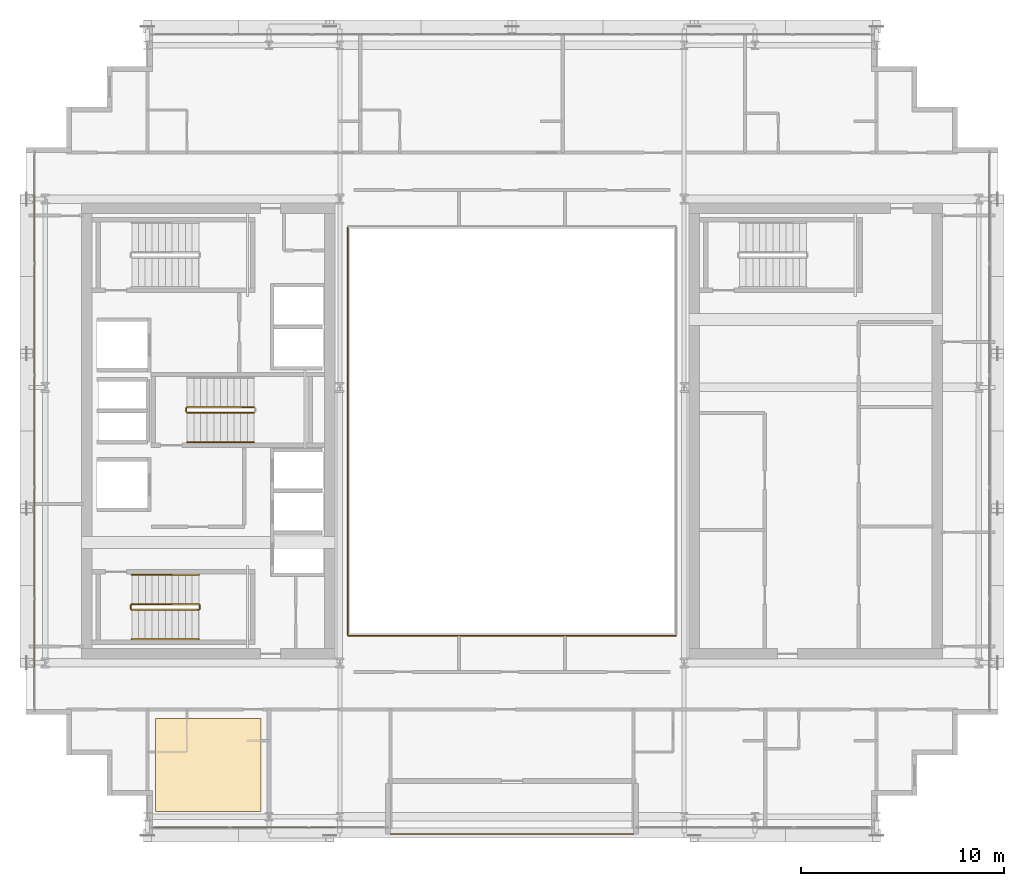
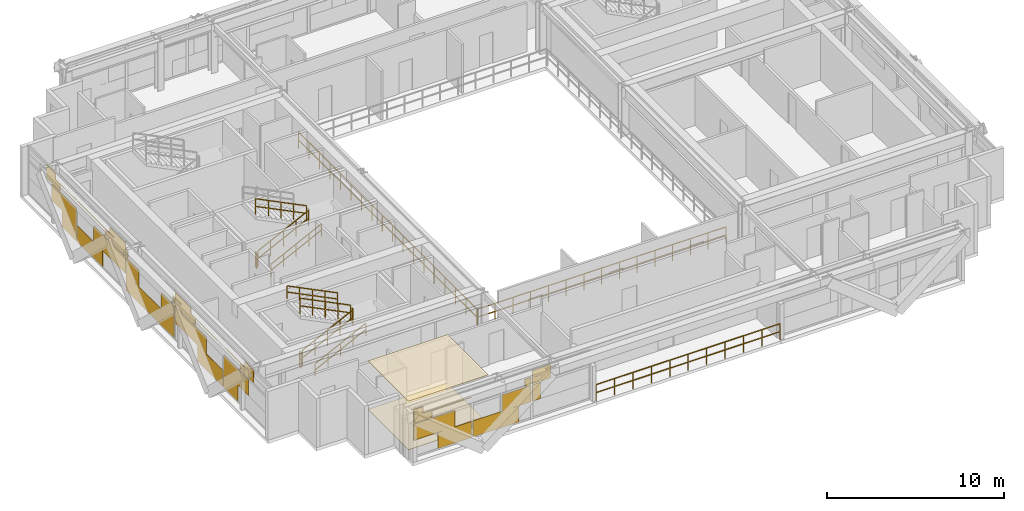
# One storey, part 29 of 32: 13 railings, 4 coverings.
"""IFC4 building model written with IfcOpenShell, lengths in metres."""

from ifc_helpers import new_model, si_unit, direction, frame, origin, origin_2d, place, context, subcontext, project, spatial, polyline, rectangle, outline, extrude, material, layer, layer_set, type_object, element, save


model = new_model("IFC4")

# Units and contexts
model_context = context("Model", 3, precision=1e-05, world=origin(), true_north=direction((0.0, 1.0)))
body_context = subcontext(model_context, "Body", "Model", "MODEL_VIEW")
ifc_project = project(units=[si_unit("LENGTHUNIT", "METRE"), si_unit("AREAUNIT", "SQUARE_METRE"), si_unit("VOLUMEUNIT", "CUBIC_METRE"), si_unit("PLANEANGLEUNIT", "RADIAN"), si_unit("MASSUNIT", "GRAM", prefix="KILO")], contexts=[model_context])

# Site, building, storey
site_placement = place(None, origin())
site = spatial("IfcSite", under=ifc_project, at=site_placement, CompositionType="ELEMENT")
building_placement = place(site_placement, origin())
building = spatial("IfcBuilding", under=site, at=building_placement, Name="Ocotamira Hotel", CompositionType="ELEMENT")
storey_placement = place(building_placement, frame((0.0, 0.0, 213.60009765625)))
storey = spatial("IfcBuildingStorey", under=building, at=storey_placement, Name="L54", CompositionType="ELEMENT", Elevation=213.60009765625)

# Coverings
ifc_material_1 = material(Name="Perforated acoustic gypsum ceiling board", Category="gypsum")
ifc_layer_1 = layer(ifc_material_1, 0.02490234375)
ifc_layer_set_1 = layer_set([ifc_layer_1], Name="Perforated acoustic gypsum ceiling board")
covering_type_1 = type_object("IfcCoveringType", Name="COV-CEIL-25", PredefinedType="CEILING", material=ifc_layer_set_1)
covering_1_placement = place(storey_placement, frame((0.0, 0.0, 3.344970703125)))
element("IfcCovering", 1, at=covering_1_placement, inside=storey, type_object=covering_type_1, Name="L54 Acoustic Ceiling", PredefinedType="CEILING", context=body_context, shape_type="SweptSolid", body=[
    extrude(outline(polyline([(14.39990234375, 7.199951171875), (19.60009765625, 7.199951171875), (19.60009765625, 11.800048828125), (14.39990234375, 11.800048828125), (14.39990234375, 7.199951171875)])), origin(), (0.0, 0.0, 1.0), 0.02490234375),
])
ifc_material_2 = material(Name="Honed desert travertine stone flooring", Category="masonry")
ifc_layer_2 = layer(ifc_material_2, 0.030029296875)
ifc_layer_set_2 = layer_set([ifc_layer_2], Name="Honed desert travertine stone flooring")
covering_type_2 = type_object("IfcCoveringType", Name="COV-FLOR-30", PredefinedType="FLOORING", material=ifc_layer_set_2)
covering_2_placement = place(storey_placement, origin())
element("IfcCovering", 2, at=covering_2_placement, inside=storey, type_object=covering_type_2, Name="L54 Honed Stone Floor Finish", PredefinedType="FLOORING", context=body_context, shape_type="SweptSolid", body=[
    extrude(outline(polyline([(14.39990234375, 7.199951171875), (19.60009765625, 7.199951171875), (19.60009765625, 11.800048828125), (14.39990234375, 11.800048828125), (14.39990234375, 7.199951171875)])), origin(), (0.0, 0.0, 1.0), 0.02978515625),
])
ifc_material_3 = material(Name="Insulated pale-metal aluminium spandrel panel", Category="aluminium")
ifc_layer_3 = layer(ifc_material_3, 0.044921875)
ifc_layer_set_3 = layer_set([ifc_layer_3], Name="Insulated pale-metal aluminium spandrel panel")
covering_type_3 = type_object("IfcCoveringType", Name="COV-INFILL-45", PredefinedType="CLADDING", material=ifc_layer_set_3)
covering_3_placement = place(storey_placement, origin())
element("IfcCovering", 3, at=covering_3_placement, inside=storey, type_object=covering_type_3, Name="L54 Curtain Wall Infill CW-4 CW-L54-S1", PredefinedType="CLADDING", context=body_context, shape_type="SweptSolid", body=[
    extrude(rectangle(XDim=2.68701171875, YDim=0.044921875, at=origin_2d()), frame((15.6240234375, 6.419921875, 1.19384765625), z_axis=(0.0, 0.0, 1.0), x_axis=(1.0, 0.0, 0.0)), (0.0, 0.0, 1.0), 1.117919921875),
    extrude(rectangle(XDim=2.19482421875, YDim=0.044921875, at=origin_2d()), frame((16.9453125, 6.419921875, 0.075439453125), z_axis=(0.0, 0.0, 1.0), x_axis=(1.0, 0.0, 0.0)), (0.0, 0.0, 1.0), 1.11767578125),
    extrude(rectangle(XDim=1.19482421875, YDim=0.044921875, at=origin_2d()), frame((14.8779296875, 6.419921875, 2.3876953125), z_axis=(0.0, 0.0, 1.0), x_axis=(1.0, 0.0, 0.0)), (0.0, 0.0, 1.0), 0.440185546875),
    extrude(rectangle(XDim=3.76220703125, YDim=0.044921875, at=origin_2d()), frame((16.16162109375, 6.419921875, 2.8291015625), z_axis=(0.0, 0.0, 1.0), x_axis=(1.0, 0.0, 0.0)), (0.0, 0.0, 1.0), 0.03271484375),
    extrude(rectangle(XDim=0.601318359375, YDim=0.044921875, at=origin_2d()), frame((14.581298828125, 6.419921875, 2.86279296875), z_axis=(0.0, 0.0, 1.0), x_axis=(1.0, 0.0, 0.0)), (0.0, 0.0, 1.0), 0.431640625),
    extrude(rectangle(XDim=3.028076171875, YDim=0.044921875, at=origin_2d()), frame((19.637939453125, 6.419921875, 0.075439453125), z_axis=(0.0, 0.0, 1.0), x_axis=(1.0, 0.0, 0.0)), (0.0, 0.0, 1.0), 1.11767578125),
    extrude(rectangle(XDim=1.893798828125, YDim=0.044921875, at=origin_2d()), frame((20.979248046875, 6.419921875, 1.19384765625), z_axis=(0.0, 0.0, 1.0), x_axis=(1.0, 0.0, 0.0)), (0.0, 0.0, 1.0), 1.117919921875),
    extrude(rectangle(XDim=0.401611328125, YDim=0.044921875, at=origin_2d()), frame((21.725341796875, 6.419921875, 2.3876953125), z_axis=(0.0, 0.0, 1.0), x_axis=(1.0, 0.0, 0.0)), (0.0, 0.0, 1.0), 0.473876953125),
    extrude(rectangle(XDim=0.543212890625, YDim=0.044921875, at=origin_2d()), frame((22.27880859375, 6.419921875, 1.19384765625), z_axis=(0.0, 0.0, 1.0), x_axis=(1.0, 0.0, 0.0)), (0.0, 0.0, 1.0), 1.117919921875),
    extrude(rectangle(XDim=1.1884765625, YDim=0.044921875, at=origin_2d()), frame((22.601318359375, 6.419921875, 2.3876953125), z_axis=(0.0, 0.0, 1.0), x_axis=(1.0, 0.0, 0.0)), (0.0, 0.0, 1.0), 0.440185546875),
    extrude(rectangle(XDim=1.23046875, YDim=0.044921875, at=origin_2d()), frame((22.622314453125, 6.419921875, 2.8291015625), z_axis=(0.0, 0.0, 1.0), x_axis=(1.0, 0.0, 0.0)), (0.0, 0.0, 1.0), 0.46533203125),
])
covering_4_placement = place(storey_placement, origin())
element("IfcCovering", 4, at=covering_4_placement, inside=storey, type_object=covering_type_3, Name="L54 Curtain Wall Infill CW-4 CW-L54-W", PredefinedType="CLADDING", context=body_context, shape_type="SweptSolid", body=[
    extrude(rectangle(XDim=2.782958984375, YDim=0.044921875, at=origin_2d()), frame((8.419921875, 16.2880859375, 1.19384765625), z_axis=(0.0, 0.0, 1.0), x_axis=(0.0, 1.0, 0.0)), (0.0, 0.0, 1.0), 1.117919921875),
    extrude(rectangle(XDim=1.596923828125, YDim=0.044921875, at=origin_2d()), frame((8.419921875, 16.881103515625, 0.075439453125), z_axis=(0.0, 0.0, 1.0), x_axis=(0.0, 1.0, 0.0)), (0.0, 0.0, 1.0), 1.11767578125),
    extrude(rectangle(XDim=3.38720703125, YDim=0.044921875, at=origin_2d()), frame((8.419921875, 15.98583984375, 2.845947265625), z_axis=(0.0, 0.0, 1.0), x_axis=(0.0, 1.0, 0.0)), (0.0, 0.0, 1.0), 0.0361328125),
    extrude(rectangle(XDim=1.019287109375, YDim=0.044921875, at=origin_2d()), frame((8.419921875, 14.8017578125, 2.8828125), z_axis=(0.0, 0.0, 1.0), x_axis=(0.0, 1.0, 0.0)), (0.0, 0.0, 1.0), 0.41162109375),
    extrude(rectangle(XDim=1.504638671875, YDim=0.044921875, at=origin_2d()), frame((8.419921875, 15.083740234375, 2.387939453125), z_axis=(0.0, 0.0, 1.0), x_axis=(0.0, 1.0, 0.0)), (0.0, 0.0, 1.0), 0.45703125),
    extrude(rectangle(XDim=2.89013671875, YDim=0.044921875, at=origin_2d()), frame((8.419921875, 19.20556640625, 0.075439453125), z_axis=(0.0, 0.0, 1.0), x_axis=(0.0, 1.0, 0.0)), (0.0, 0.0, 1.0), 1.11767578125),
    extrude(rectangle(XDim=3.568115234375, YDim=0.044921875, at=origin_2d()), frame((8.419921875, 21.41552734375, 1.19384765625), z_axis=(0.0, 0.0, 1.0), x_axis=(0.0, 1.0, 0.0)), (0.0, 0.0, 1.0), 1.117919921875),
    extrude(rectangle(XDim=5.43896484375, YDim=0.044921875, at=origin_2d()), frame((8.419921875, 20.47998046875, 2.845947265625), z_axis=(0.0, 0.0, 1.0), x_axis=(0.0, 1.0, 0.0)), (0.0, 0.0, 1.0), 0.0361328125),
    extrude(rectangle(XDim=2.302490234375, YDim=0.044921875, at=origin_2d()), frame((8.419921875, 22.04833984375, 2.387939453125), z_axis=(0.0, 0.0, 1.0), x_axis=(0.0, 1.0, 0.0)), (0.0, 0.0, 1.0), 0.45703125),
    extrude(rectangle(XDim=1.777587890625, YDim=0.044921875, at=origin_2d()), frame((8.419921875, 22.310791015625, 2.8828125), z_axis=(0.0, 0.0, 1.0), x_axis=(0.0, 1.0, 0.0)), (0.0, 0.0, 1.0), 0.41162109375),
    extrude(rectangle(XDim=5.43896484375, YDim=0.044921875, at=origin_2d()), frame((8.419921875, 26.0, 0.075439453125), z_axis=(0.0, 0.0, 1.0), x_axis=(0.0, 1.0, 0.0)), (0.0, 0.0, 1.0), 1.11767578125),
    extrude(rectangle(XDim=1.45458984375, YDim=0.044921875, at=origin_2d()), frame((8.419921875, 24.0078125, 1.19384765625), z_axis=(0.0, 0.0, 1.0), x_axis=(0.0, 1.0, 0.0)), (0.0, 0.0, 1.0), 1.117919921875),
    extrude(rectangle(XDim=1.45458984375, YDim=0.044921875, at=origin_2d()), frame((8.419921875, 27.9921875, 1.19384765625), z_axis=(0.0, 0.0, 1.0), x_axis=(0.0, 1.0, 0.0)), (0.0, 0.0, 1.0), 1.117919921875),
    extrude(rectangle(XDim=0.18896484375, YDim=0.044921875, at=origin_2d()), frame((8.419921875, 23.375, 2.38818359375), z_axis=(0.0, 0.0, 1.0), x_axis=(0.0, 1.0, 0.0)), (0.0, 0.0, 1.0), 0.493896484375),
    extrude(rectangle(XDim=0.18896484375, YDim=0.044921875, at=origin_2d()), frame((8.419921875, 28.625, 2.38818359375), z_axis=(0.0, 0.0, 1.0), x_axis=(0.0, 1.0, 0.0)), (0.0, 0.0, 1.0), 0.493896484375),
    extrude(rectangle(XDim=3.568115234375, YDim=0.044921875, at=origin_2d()), frame((8.419921875, 30.58447265625, 1.19384765625), z_axis=(0.0, 0.0, 1.0), x_axis=(0.0, 1.0, 0.0)), (0.0, 0.0, 1.0), 1.117919921875),
    extrude(rectangle(XDim=2.89013671875, YDim=0.044921875, at=origin_2d()), frame((8.419921875, 32.79443359375, 0.075439453125), z_axis=(0.0, 0.0, 1.0), x_axis=(0.0, 1.0, 0.0)), (0.0, 0.0, 1.0), 1.11767578125),
    extrude(rectangle(XDim=2.302490234375, YDim=0.044921875, at=origin_2d()), frame((8.419921875, 29.95166015625, 2.387939453125), z_axis=(0.0, 0.0, 1.0), x_axis=(0.0, 1.0, 0.0)), (0.0, 0.0, 1.0), 0.45703125),
    extrude(rectangle(XDim=5.43896484375, YDim=0.044921875, at=origin_2d()), frame((8.419921875, 31.52001953125, 2.845947265625), z_axis=(0.0, 0.0, 1.0), x_axis=(0.0, 1.0, 0.0)), (0.0, 0.0, 1.0), 0.0361328125),
    extrude(rectangle(XDim=1.777587890625, YDim=0.044921875, at=origin_2d()), frame((8.419921875, 29.689208984375, 2.8828125), z_axis=(0.0, 0.0, 1.0), x_axis=(0.0, 1.0, 0.0)), (0.0, 0.0, 1.0), 0.41162109375),
    extrude(rectangle(XDim=1.596923828125, YDim=0.044921875, at=origin_2d()), frame((8.419921875, 35.118896484375, 0.075439453125), z_axis=(0.0, 0.0, 1.0), x_axis=(0.0, 1.0, 0.0)), (0.0, 0.0, 1.0), 1.11767578125),
    extrude(rectangle(XDim=2.782958984375, YDim=0.044921875, at=origin_2d()), frame((8.419921875, 35.7119140625, 1.19384765625), z_axis=(0.0, 0.0, 1.0), x_axis=(0.0, 1.0, 0.0)), (0.0, 0.0, 1.0), 1.117919921875),
    extrude(rectangle(XDim=3.38720703125, YDim=0.044921875, at=origin_2d()), frame((8.419921875, 36.01416015625, 2.845947265625), z_axis=(0.0, 0.0, 1.0), x_axis=(0.0, 1.0, 0.0)), (0.0, 0.0, 1.0), 0.0361328125),
    extrude(rectangle(XDim=1.504638671875, YDim=0.044921875, at=origin_2d()), frame((8.419921875, 36.916259765625, 2.387939453125), z_axis=(0.0, 0.0, 1.0), x_axis=(0.0, 1.0, 0.0)), (0.0, 0.0, 1.0), 0.45703125),
    extrude(rectangle(XDim=1.019287109375, YDim=0.044921875, at=origin_2d()), frame((8.419921875, 37.1982421875, 2.8828125), z_axis=(0.0, 0.0, 1.0), x_axis=(0.0, 1.0, 0.0)), (0.0, 0.0, 1.0), 0.41162109375),
])

# Railings
ifc_material_4 = material(Name="Laminated glass and pale-metal balustrade", Category="glass")
railing_type_1 = type_object("IfcRailingType", Name="RL-BAL-1150", PredefinedType="BALUSTRADE", material=ifc_material_4)
railing_1_placement = place(storey_placement, frame((26.0, 6.10009765625, 0.0)))
element("IfcRailing", 5, at=railing_1_placement, inside=storey, type_object=railing_type_1, Name="L54 Sky Terrace Balustrade 1", PredefinedType="BALUSTRADE", context=body_context, shape_type="SweptSolid", body=[
    extrude(rectangle(XDim=0.048095703125, YDim=0.048095703125, at=origin_2d()), frame((0.0, 0.0, 1.1259765625), z_axis=(1.0, 0.0, 0.0), x_axis=(0.0, 1.0, 0.0)), (0.0, 0.0, 1.0), 12.0),
    extrude(rectangle(XDim=0.048095703125, YDim=0.048095703125, at=origin_2d()), frame((0.0, 0.0, 0.574951171875), z_axis=(1.0, 0.0, 0.0), x_axis=(0.0, 1.0, 0.0)), (0.0, 0.0, 1.0), 12.0),
    extrude(rectangle(XDim=0.0419921875, YDim=0.0419921875, at=origin_2d()), origin(), (0.0, 0.0, 1.0), 1.101806640625),
    extrude(rectangle(XDim=0.0419921875, YDim=0.0419921875, at=origin_2d()), frame((1.199951171875, 0.0, 0.0)), (0.0, 0.0, 1.0), 1.101806640625),
    extrude(rectangle(XDim=0.0419921875, YDim=0.0419921875, at=origin_2d()), frame((2.39990234375, 0.0, 0.0)), (0.0, 0.0, 1.0), 1.101806640625),
    extrude(rectangle(XDim=0.0419921875, YDim=0.0419921875, at=origin_2d()), frame((3.60009765625, 0.0, 0.0)), (0.0, 0.0, 1.0), 1.101806640625),
    extrude(rectangle(XDim=0.0419921875, YDim=0.0419921875, at=origin_2d()), frame((4.800048828125, 0.0, 0.0)), (0.0, 0.0, 1.0), 1.101806640625),
    extrude(rectangle(XDim=0.0419921875, YDim=0.0419921875, at=origin_2d()), frame((6.0, 0.0, 0.0)), (0.0, 0.0, 1.0), 1.101806640625),
    extrude(rectangle(XDim=0.0419921875, YDim=0.0419921875, at=origin_2d()), frame((7.199951171875, 0.0, 0.0)), (0.0, 0.0, 1.0), 1.101806640625),
    extrude(rectangle(XDim=0.0419921875, YDim=0.0419921875, at=origin_2d()), frame((8.39990234375, 0.0, 0.0)), (0.0, 0.0, 1.0), 1.101806640625),
    extrude(rectangle(XDim=0.0419921875, YDim=0.0419921875, at=origin_2d()), frame((9.60009765625, 0.0, 0.0)), (0.0, 0.0, 1.0), 1.101806640625),
    extrude(rectangle(XDim=0.0419921875, YDim=0.0419921875, at=origin_2d()), frame((10.800048828125, 0.0, 0.0)), (0.0, 0.0, 1.0), 1.101806640625),
    extrude(rectangle(XDim=0.0419921875, YDim=0.0419921875, at=origin_2d()), frame((12.0, 0.0, 0.0)), (0.0, 0.0, 1.0), 1.101806640625),
])
ifc_material_5 = material(Name="Painted steel stair guardrail", Category="steel")
railing_type_2 = type_object("IfcRailingType", Name="RL-EDGE-1150", PredefinedType="GUARDRAIL", material=ifc_material_5)
railing_2_placement = place(storey_placement, frame((23.89990234375, 15.8798828125, 0.0)))
element("IfcRailing", 6, at=railing_2_placement, inside=storey, type_object=railing_type_2, Name="L54 Central Atrium Edge Guardrail S", PredefinedType="GUARDRAIL", context=body_context, shape_type="SweptSolid", body=[
    extrude(rectangle(XDim=0.048095703125, YDim=0.048095703125, at=origin_2d()), frame((0.0, 0.0, 1.1259765625), z_axis=(1.0, 0.0, 0.0), x_axis=(0.0, 1.0, 0.0)), (0.0, 0.0, 1.0), 16.2001953125),
    extrude(rectangle(XDim=0.048095703125, YDim=0.048095703125, at=origin_2d()), frame((0.0, 0.0, 0.574951171875), z_axis=(1.0, 0.0, 0.0), x_axis=(0.0, 1.0, 0.0)), (0.0, 0.0, 1.0), 16.2001953125),
    extrude(rectangle(XDim=0.0419921875, YDim=0.0419921875, at=origin_2d()), origin(), (0.0, 0.0, 1.0), 1.101806640625),
    extrude(rectangle(XDim=0.0419921875, YDim=0.0419921875, at=origin_2d()), frame((1.1572265625, 0.0, 0.0)), (0.0, 0.0, 1.0), 1.101806640625),
    extrude(rectangle(XDim=0.0419921875, YDim=0.0419921875, at=origin_2d()), frame((2.314208984375, 0.0, 0.0)), (0.0, 0.0, 1.0), 1.101806640625),
    extrude(rectangle(XDim=0.0419921875, YDim=0.0419921875, at=origin_2d()), frame((3.471435546875, 0.0, 0.0)), (0.0, 0.0, 1.0), 1.101806640625),
    extrude(rectangle(XDim=0.0419921875, YDim=0.0419921875, at=origin_2d()), frame((4.628662109375, 0.0, 0.0)), (0.0, 0.0, 1.0), 1.101806640625),
    extrude(rectangle(XDim=0.0419921875, YDim=0.0419921875, at=origin_2d()), frame((5.785888671875, 0.0, 0.0)), (0.0, 0.0, 1.0), 1.101806640625),
    extrude(rectangle(XDim=0.0419921875, YDim=0.0419921875, at=origin_2d()), frame((6.94287109375, 0.0, 0.0)), (0.0, 0.0, 1.0), 1.101806640625),
    extrude(rectangle(XDim=0.0419921875, YDim=0.0419921875, at=origin_2d()), frame((8.10009765625, 0.0, 0.0)), (0.0, 0.0, 1.0), 1.101806640625),
    extrude(rectangle(XDim=0.0419921875, YDim=0.0419921875, at=origin_2d()), frame((9.25732421875, 0.0, 0.0)), (0.0, 0.0, 1.0), 1.101806640625),
    extrude(rectangle(XDim=0.0419921875, YDim=0.0419921875, at=origin_2d()), frame((10.414306640625, 0.0, 0.0)), (0.0, 0.0, 1.0), 1.101806640625),
    extrude(rectangle(XDim=0.0419921875, YDim=0.0419921875, at=origin_2d()), frame((11.571533203125, 0.0, 0.0)), (0.0, 0.0, 1.0), 1.101806640625),
    extrude(rectangle(XDim=0.0419921875, YDim=0.0419921875, at=origin_2d()), frame((12.728759765625, 0.0, 0.0)), (0.0, 0.0, 1.0), 1.101806640625),
    extrude(rectangle(XDim=0.0419921875, YDim=0.0419921875, at=origin_2d()), frame((13.885986328125, 0.0, 0.0)), (0.0, 0.0, 1.0), 1.101806640625),
    extrude(rectangle(XDim=0.0419921875, YDim=0.0419921875, at=origin_2d()), frame((15.04296875, 0.0, 0.0)), (0.0, 0.0, 1.0), 1.101806640625),
    extrude(rectangle(XDim=0.0419921875, YDim=0.0419921875, at=origin_2d()), frame((16.2001953125, 0.0, 0.0)), (0.0, 0.0, 1.0), 1.101806640625),
])
railing_3_placement = place(storey_placement, frame((23.8798828125, 36.0400390625, 0.0)))
element("IfcRailing", 7, at=railing_3_placement, inside=storey, type_object=railing_type_2, Name="L54 Central Atrium Edge Guardrail W", PredefinedType="GUARDRAIL", context=body_context, shape_type="SweptSolid", body=[
    extrude(rectangle(XDim=0.048095703125, YDim=0.048095703125, at=origin_2d()), frame((0.0, 0.0, 1.1259765625), z_axis=(0.0, -1.0, 0.0), x_axis=(1.0, 0.0, 0.0)), (0.0, 0.0, 1.0), 20.080078125),
    extrude(rectangle(XDim=0.048095703125, YDim=0.048095703125, at=origin_2d()), frame((0.0, 0.0, 0.574951171875), z_axis=(0.0, -1.0, 0.0), x_axis=(1.0, 0.0, 0.0)), (0.0, 0.0, 1.0), 20.080078125),
    extrude(rectangle(XDim=0.0419921875, YDim=0.0419921875, at=origin_2d()), origin(), (0.0, 0.0, 1.0), 1.101806640625),
    extrude(rectangle(XDim=0.0419921875, YDim=0.0419921875, at=origin_2d()), frame((0.0, -1.18115234375, 0.0)), (0.0, 0.0, 1.0), 1.101806640625),
    extrude(rectangle(XDim=0.0419921875, YDim=0.0419921875, at=origin_2d()), frame((0.0, -2.3623046875, 0.0)), (0.0, 0.0, 1.0), 1.101806640625),
    extrude(rectangle(XDim=0.0419921875, YDim=0.0419921875, at=origin_2d()), frame((0.0, -3.54345703125, 0.0)), (0.0, 0.0, 1.0), 1.101806640625),
    extrude(rectangle(XDim=0.0419921875, YDim=0.0419921875, at=origin_2d()), frame((0.0, -4.724609375, 0.0)), (0.0, 0.0, 1.0), 1.101806640625),
    extrude(rectangle(XDim=0.0419921875, YDim=0.0419921875, at=origin_2d()), frame((0.0, -5.906005859375, 0.0)), (0.0, 0.0, 1.0), 1.101806640625),
    extrude(rectangle(XDim=0.0419921875, YDim=0.0419921875, at=origin_2d()), frame((0.0, -7.087158203125, 0.0)), (0.0, 0.0, 1.0), 1.101806640625),
    extrude(rectangle(XDim=0.0419921875, YDim=0.0419921875, at=origin_2d()), frame((0.0, -8.268310546875, 0.0)), (0.0, 0.0, 1.0), 1.101806640625),
    extrude(rectangle(XDim=0.0419921875, YDim=0.0419921875, at=origin_2d()), frame((0.0, -9.449462890625, 0.0)), (0.0, 0.0, 1.0), 1.101806640625),
    extrude(rectangle(XDim=0.0419921875, YDim=0.0419921875, at=origin_2d()), frame((0.0, -10.630615234375, 0.0)), (0.0, 0.0, 1.0), 1.101806640625),
    extrude(rectangle(XDim=0.0419921875, YDim=0.0419921875, at=origin_2d()), frame((0.0, -11.811767578125, 0.0)), (0.0, 0.0, 1.0), 1.101806640625),
    extrude(rectangle(XDim=0.0419921875, YDim=0.0419921875, at=origin_2d()), frame((0.0, -12.992919921875, 0.0)), (0.0, 0.0, 1.0), 1.101806640625),
    extrude(rectangle(XDim=0.0419921875, YDim=0.0419921875, at=origin_2d()), frame((0.0, -14.174072265625, 0.0)), (0.0, 0.0, 1.0), 1.101806640625),
    extrude(rectangle(XDim=0.0419921875, YDim=0.0419921875, at=origin_2d()), frame((0.0, -15.35546875, 0.0)), (0.0, 0.0, 1.0), 1.101806640625),
    extrude(rectangle(XDim=0.0419921875, YDim=0.0419921875, at=origin_2d()), frame((0.0, -16.53662109375, 0.0)), (0.0, 0.0, 1.0), 1.101806640625),
    extrude(rectangle(XDim=0.0419921875, YDim=0.0419921875, at=origin_2d()), frame((0.0, -17.7177734375, 0.0)), (0.0, 0.0, 1.0), 1.101806640625),
    extrude(rectangle(XDim=0.0419921875, YDim=0.0419921875, at=origin_2d()), frame((0.0, -18.89892578125, 0.0)), (0.0, 0.0, 1.0), 1.101806640625),
    extrude(rectangle(XDim=0.0419921875, YDim=0.0419921875, at=origin_2d()), frame((0.0, -20.080078125, 0.0)), (0.0, 0.0, 1.0), 1.101806640625),
])
ifc_material_6 = material(Name="Brushed stainless steel handrail", Category="steel")
railing_type_3 = type_object("IfcRailingType", Name="RL-HAND-900", PredefinedType="HANDRAIL", material=ifc_material_6)
railing_4_placement = place(storey_placement, frame((13.22998046875, 15.719970703125, 0.3271484375)))
element("IfcRailing", 8, at=railing_4_placement, inside=storey, type_object=railing_type_3, Name="L54 ST-1 stair handrail 1", PredefinedType="HANDRAIL", context=body_context, shape_type="SweptSolid", body=[
    extrude(rectangle(XDim=0.048095703125, YDim=0.048095703125, at=origin_2d()), frame((0.0, 0.0, 0.8759765625), z_axis=(0.895893744519, 0.0, 0.4442683857), x_axis=(0.0, 1.0, 0.0)), (0.0, 0.0, 1.0), 3.68359375),
    extrude(rectangle(XDim=0.048095703125, YDim=0.048095703125, at=origin_2d()), frame((0.0, 0.0, 0.449951171875), z_axis=(0.895893744519, 0.0, 0.4442683857), x_axis=(0.0, 1.0, 0.0)), (0.0, 0.0, 1.0), 3.68359375),
    extrude(rectangle(XDim=0.0419921875, YDim=0.0419921875, at=origin_2d()), origin(), (0.0, 0.0, 1.0), 0.851806640625),
    extrude(rectangle(XDim=0.0419921875, YDim=0.0419921875, at=origin_2d()), frame((0.824951171875, 0.0, 0.4091796875)), (0.0, 0.0, 1.0), 0.851806640625),
    extrude(rectangle(XDim=0.0419921875, YDim=0.0419921875, at=origin_2d()), frame((1.64990234375, 0.0, 0.818359375)), (0.0, 0.0, 1.0), 0.851806640625),
    extrude(rectangle(XDim=0.0419921875, YDim=0.0419921875, at=origin_2d()), frame((2.47509765625, 0.0, 1.227294921875)), (0.0, 0.0, 1.0), 0.851806640625),
    extrude(rectangle(XDim=0.0419921875, YDim=0.0419921875, at=origin_2d()), frame((3.300048828125, 0.0, 1.636474609375)), (0.0, 0.0, 1.0), 0.851806640625),
])
railing_5_placement = place(storey_placement, frame((16.530029296875, 18.89990234375, 2.127197265625)))
element("IfcRailing", 9, at=railing_5_placement, inside=storey, type_object=railing_type_3, Name="L54 ST-1 stair handrail 2", PredefinedType="HANDRAIL", context=body_context, shape_type="SweptSolid", body=[
    extrude(rectangle(XDim=0.048095703125, YDim=0.048095703125, at=origin_2d()), frame((0.0, 0.0, 0.8759765625), z_axis=(-0.895920123917, 0.0, 0.444215186098), x_axis=(0.0, -1.0, 0.0)), (0.0, 0.0, 1.0), 3.683349609375),
    extrude(rectangle(XDim=0.048095703125, YDim=0.048095703125, at=origin_2d()), frame((0.0, 0.0, 0.449951171875), z_axis=(-0.895920123917, 0.0, 0.444215186098), x_axis=(0.0, -1.0, 0.0)), (0.0, 0.0, 1.0), 3.683349609375),
    extrude(rectangle(XDim=0.0419921875, YDim=0.0419921875, at=origin_2d()), origin(), (0.0, 0.0, 1.0), 0.851806640625),
    extrude(rectangle(XDim=0.0419921875, YDim=0.0419921875, at=origin_2d()), frame((-0.824951171875, 0.0, 0.4091796875)), (0.0, 0.0, 1.0), 0.851806640625),
    extrude(rectangle(XDim=0.0419921875, YDim=0.0419921875, at=origin_2d()), frame((-1.64990234375, 0.0, 0.818115234375)), (0.0, 0.0, 1.0), 0.851806640625),
    extrude(rectangle(XDim=0.0419921875, YDim=0.0419921875, at=origin_2d()), frame((-2.47509765625, 0.0, 1.22705078125)), (0.0, 0.0, 1.0), 0.851806640625),
    extrude(rectangle(XDim=0.0419921875, YDim=0.0419921875, at=origin_2d()), frame((-3.300048828125, 0.0, 1.63623046875)), (0.0, 0.0, 1.0), 0.851806640625),
])
railing_6_placement = place(storey_placement, frame((15.9599609375, 25.449951171875, 0.3271484375)))
element("IfcRailing", 10, at=railing_6_placement, inside=storey, type_object=railing_type_3, Name="L54 ST-3 stair handrail 1", PredefinedType="HANDRAIL", context=body_context, shape_type="SweptSolid", body=[
    extrude(rectangle(XDim=0.048095703125, YDim=0.048095703125, at=origin_2d()), frame((0.0, 0.0, 0.8759765625), z_axis=(0.895893744519, 0.0, 0.4442683857), x_axis=(0.0, 1.0, 0.0)), (0.0, 0.0, 1.0), 3.68359375),
    extrude(rectangle(XDim=0.048095703125, YDim=0.048095703125, at=origin_2d()), frame((0.0, 0.0, 0.449951171875), z_axis=(0.895893744519, 0.0, 0.4442683857), x_axis=(0.0, 1.0, 0.0)), (0.0, 0.0, 1.0), 3.68359375),
    extrude(rectangle(XDim=0.0419921875, YDim=0.0419921875, at=origin_2d()), origin(), (0.0, 0.0, 1.0), 0.851806640625),
    extrude(rectangle(XDim=0.0419921875, YDim=0.0419921875, at=origin_2d()), frame((0.824951171875, 0.0, 0.4091796875)), (0.0, 0.0, 1.0), 0.851806640625),
    extrude(rectangle(XDim=0.0419921875, YDim=0.0419921875, at=origin_2d()), frame((1.64990234375, 0.0, 0.818359375)), (0.0, 0.0, 1.0), 0.851806640625),
    extrude(rectangle(XDim=0.0419921875, YDim=0.0419921875, at=origin_2d()), frame((2.47509765625, 0.0, 1.227294921875)), (0.0, 0.0, 1.0), 0.851806640625),
    extrude(rectangle(XDim=0.0419921875, YDim=0.0419921875, at=origin_2d()), frame((3.300048828125, 0.0, 1.636474609375)), (0.0, 0.0, 1.0), 0.851806640625),
])
railing_type_4 = type_object("IfcRailingType", Name="RL-STAIR-1100", PredefinedType="GUARDRAIL", material=ifc_material_5)
railing_7_placement = place(storey_placement, frame((13.22998046875, 17.179931640625, 0.16357421875)))
element("IfcRailing", 11, at=railing_7_placement, inside=storey, type_object=railing_type_4, Name="L54 ST-1 stair guard 1", PredefinedType="GUARDRAIL", context=body_context, shape_type="SweptSolid", body=[
    extrude(rectangle(XDim=0.048095703125, YDim=0.048095703125, at=origin_2d()), frame((0.0, 0.0, 1.076171875), z_axis=(0.895920123917, 0.0, 0.444215186098), x_axis=(0.0, 1.0, 0.0)), (0.0, 0.0, 1.0), 3.683349609375),
    extrude(rectangle(XDim=0.048095703125, YDim=0.048095703125, at=origin_2d()), frame((0.0, 0.0, 0.550048828125), z_axis=(0.895920123917, 0.0, 0.444215186098), x_axis=(0.0, 1.0, 0.0)), (0.0, 0.0, 1.0), 3.683349609375),
    extrude(rectangle(XDim=0.0419921875, YDim=0.0419921875, at=origin_2d()), origin(), (0.0, 0.0, 1.0), 1.052001953125),
    extrude(rectangle(XDim=0.0419921875, YDim=0.0419921875, at=origin_2d()), frame((0.824951171875, 0.0, 0.4091796875)), (0.0, 0.0, 1.0), 1.052001953125),
    extrude(rectangle(XDim=0.0419921875, YDim=0.0419921875, at=origin_2d()), frame((1.64990234375, 0.0, 0.818115234375)), (0.0, 0.0, 1.0), 1.052001953125),
    extrude(rectangle(XDim=0.0419921875, YDim=0.0419921875, at=origin_2d()), frame((2.47509765625, 0.0, 1.22705078125)), (0.0, 0.0, 1.0), 1.052001953125),
    extrude(rectangle(XDim=0.0419921875, YDim=0.0419921875, at=origin_2d()), frame((3.300048828125, 0.0, 1.63623046875)), (0.0, 0.0, 1.0), 1.052001953125),
])
railing_8_placement = place(storey_placement, frame((16.580078125, 17.22998046875, 1.7998046875)))
element("IfcRailing", 12, at=railing_8_placement, inside=storey, type_object=railing_type_4, Name="L54 ST-1 stair guard 2", PredefinedType="GUARDRAIL", context=body_context, shape_type="SweptSolid", body=[
    extrude(rectangle(XDim=0.048095703125, YDim=0.048095703125, at=origin_2d()), frame((0.0, 0.0, 1.076171875), z_axis=(0.0, 1.0, 0.0), x_axis=(-1.0, 0.0, 0.0)), (0.0, 0.0, 1.0), 0.159912109375),
    extrude(rectangle(XDim=0.048095703125, YDim=0.048095703125, at=origin_2d()), frame((0.0, 0.0, 0.550048828125), z_axis=(0.0, 1.0, 0.0), x_axis=(-1.0, 0.0, 0.0)), (0.0, 0.0, 1.0), 0.159912109375),
    extrude(rectangle(XDim=0.0419921875, YDim=0.0419921875, at=origin_2d()), origin(), (0.0, 0.0, 1.0), 1.052001953125),
    extrude(rectangle(XDim=0.0419921875, YDim=0.0419921875, at=origin_2d()), frame((0.0, 0.159912109375, 0.0)), (0.0, 0.0, 1.0), 1.052001953125),
])
railing_9_placement = place(storey_placement, frame((16.530029296875, 17.43994140625, 1.963623046875)))
element("IfcRailing", 13, at=railing_9_placement, inside=storey, type_object=railing_type_4, Name="L54 ST-1 stair guard 3", PredefinedType="GUARDRAIL", context=body_context, shape_type="SweptSolid", body=[
    extrude(rectangle(XDim=0.048095703125, YDim=0.048095703125, at=origin_2d()), frame((0.0, 0.0, 1.076171875), z_axis=(-0.895920123917, 0.0, 0.444215186098), x_axis=(0.0, -1.0, 0.0)), (0.0, 0.0, 1.0), 3.683349609375),
    extrude(rectangle(XDim=0.048095703125, YDim=0.048095703125, at=origin_2d()), frame((0.0, 0.0, 0.550048828125), z_axis=(-0.895920123917, 0.0, 0.444215186098), x_axis=(0.0, -1.0, 0.0)), (0.0, 0.0, 1.0), 3.683349609375),
    extrude(rectangle(XDim=0.0419921875, YDim=0.0419921875, at=origin_2d()), origin(), (0.0, 0.0, 1.0), 1.052001953125),
    extrude(rectangle(XDim=0.0419921875, YDim=0.0419921875, at=origin_2d()), frame((-0.824951171875, 0.0, 0.4091796875)), (0.0, 0.0, 1.0), 1.052001953125),
    extrude(rectangle(XDim=0.0419921875, YDim=0.0419921875, at=origin_2d()), frame((-1.64990234375, 0.0, 0.818115234375)), (0.0, 0.0, 1.0), 1.052001953125),
    extrude(rectangle(XDim=0.0419921875, YDim=0.0419921875, at=origin_2d()), frame((-2.47509765625, 0.0, 1.22705078125)), (0.0, 0.0, 1.0), 1.052001953125),
    extrude(rectangle(XDim=0.0419921875, YDim=0.0419921875, at=origin_2d()), frame((-3.300048828125, 0.0, 1.63623046875)), (0.0, 0.0, 1.0), 1.052001953125),
])
railing_10_placement = place(storey_placement, frame((13.179931640625, 17.22998046875, 0.0)))
element("IfcRailing", 14, at=railing_10_placement, inside=storey, type_object=railing_type_4, Name="L54 ST-1 stair guard 4", PredefinedType="GUARDRAIL", context=body_context, shape_type="SweptSolid", body=[
    extrude(rectangle(XDim=0.048095703125, YDim=0.048095703125, at=origin_2d()), frame((0.0, 0.0, 1.076171875), z_axis=(0.0, 1.0, 0.0), x_axis=(-1.0, 0.0, 0.0)), (0.0, 0.0, 1.0), 0.159912109375),
    extrude(rectangle(XDim=0.048095703125, YDim=0.048095703125, at=origin_2d()), frame((0.0, 0.0, 0.550048828125), z_axis=(0.0, 1.0, 0.0), x_axis=(-1.0, 0.0, 0.0)), (0.0, 0.0, 1.0), 0.159912109375),
    extrude(rectangle(XDim=0.0419921875, YDim=0.0419921875, at=origin_2d()), origin(), (0.0, 0.0, 1.0), 1.052001953125),
    extrude(rectangle(XDim=0.0419921875, YDim=0.0419921875, at=origin_2d()), frame((0.0, 0.159912109375, 0.0)), (0.0, 0.0, 1.0), 1.052001953125),
])
railing_11_placement = place(storey_placement, frame((15.9599609375, 26.909912109375, 0.16357421875)))
element("IfcRailing", 15, at=railing_11_placement, inside=storey, type_object=railing_type_4, Name="L54 ST-3 stair guard 1", PredefinedType="GUARDRAIL", context=body_context, shape_type="SweptSolid", body=[
    extrude(rectangle(XDim=0.048095703125, YDim=0.048095703125, at=origin_2d()), frame((0.0, 0.0, 1.076171875), z_axis=(0.895920123917, 0.0, 0.444215186098), x_axis=(0.0, 1.0, 0.0)), (0.0, 0.0, 1.0), 3.683349609375),
    extrude(rectangle(XDim=0.048095703125, YDim=0.048095703125, at=origin_2d()), frame((0.0, 0.0, 0.550048828125), z_axis=(0.895920123917, 0.0, 0.444215186098), x_axis=(0.0, 1.0, 0.0)), (0.0, 0.0, 1.0), 3.683349609375),
    extrude(rectangle(XDim=0.0419921875, YDim=0.0419921875, at=origin_2d()), origin(), (0.0, 0.0, 1.0), 1.052001953125),
    extrude(rectangle(XDim=0.0419921875, YDim=0.0419921875, at=origin_2d()), frame((0.824951171875, 0.0, 0.4091796875)), (0.0, 0.0, 1.0), 1.052001953125),
    extrude(rectangle(XDim=0.0419921875, YDim=0.0419921875, at=origin_2d()), frame((1.64990234375, 0.0, 0.818115234375)), (0.0, 0.0, 1.0), 1.052001953125),
    extrude(rectangle(XDim=0.0419921875, YDim=0.0419921875, at=origin_2d()), frame((2.47509765625, 0.0, 1.22705078125)), (0.0, 0.0, 1.0), 1.052001953125),
    extrude(rectangle(XDim=0.0419921875, YDim=0.0419921875, at=origin_2d()), frame((3.300048828125, 0.0, 1.63623046875)), (0.0, 0.0, 1.0), 1.052001953125),
])
railing_12_placement = place(storey_placement, frame((19.260009765625, 27.169921875, 1.963623046875)))
element("IfcRailing", 16, at=railing_12_placement, inside=storey, type_object=railing_type_4, Name="L54 ST-3 stair guard 3", PredefinedType="GUARDRAIL", context=body_context, shape_type="SweptSolid", body=[
    extrude(rectangle(XDim=0.048095703125, YDim=0.048095703125, at=origin_2d()), frame((0.0, 0.0, 1.076171875), z_axis=(-0.895920123917, 0.0, 0.444215186098), x_axis=(0.0, -1.0, 0.0)), (0.0, 0.0, 1.0), 3.683349609375),
    extrude(rectangle(XDim=0.048095703125, YDim=0.048095703125, at=origin_2d()), frame((0.0, 0.0, 0.550048828125), z_axis=(-0.895920123917, 0.0, 0.444215186098), x_axis=(0.0, -1.0, 0.0)), (0.0, 0.0, 1.0), 3.683349609375),
    extrude(rectangle(XDim=0.0419921875, YDim=0.0419921875, at=origin_2d()), origin(), (0.0, 0.0, 1.0), 1.052001953125),
    extrude(rectangle(XDim=0.0419921875, YDim=0.0419921875, at=origin_2d()), frame((-0.824951171875, 0.0, 0.4091796875)), (0.0, 0.0, 1.0), 1.052001953125),
    extrude(rectangle(XDim=0.0419921875, YDim=0.0419921875, at=origin_2d()), frame((-1.64990234375, 0.0, 0.818115234375)), (0.0, 0.0, 1.0), 1.052001953125),
    extrude(rectangle(XDim=0.0419921875, YDim=0.0419921875, at=origin_2d()), frame((-2.47509765625, 0.0, 1.22705078125)), (0.0, 0.0, 1.0), 1.052001953125),
    extrude(rectangle(XDim=0.0419921875, YDim=0.0419921875, at=origin_2d()), frame((-3.300048828125, 0.0, 1.63623046875)), (0.0, 0.0, 1.0), 1.052001953125),
])
railing_13_placement = place(storey_placement, frame((15.909912109375, 26.9599609375, 0.0)))
element("IfcRailing", 17, at=railing_13_placement, inside=storey, type_object=railing_type_4, Name="L54 ST-3 stair guard 4", PredefinedType="GUARDRAIL", context=body_context, shape_type="SweptSolid", body=[
    extrude(rectangle(XDim=0.048095703125, YDim=0.048095703125, at=origin_2d()), frame((0.0, 0.0, 1.076171875), z_axis=(0.0, 1.0, 0.0), x_axis=(-1.0, 0.0, 0.0)), (0.0, 0.0, 1.0), 0.16015625),
    extrude(rectangle(XDim=0.048095703125, YDim=0.048095703125, at=origin_2d()), frame((0.0, 0.0, 0.550048828125), z_axis=(0.0, 1.0, 0.0), x_axis=(-1.0, 0.0, 0.0)), (0.0, 0.0, 1.0), 0.16015625),
    extrude(rectangle(XDim=0.0419921875, YDim=0.0419921875, at=origin_2d()), origin(), (0.0, 0.0, 1.0), 1.052001953125),
    extrude(rectangle(XDim=0.0419921875, YDim=0.0419921875, at=origin_2d()), frame((0.0, 0.16015625, 0.0)), (0.0, 0.0, 1.0), 1.052001953125),
])

save(model, "model.ifc")
